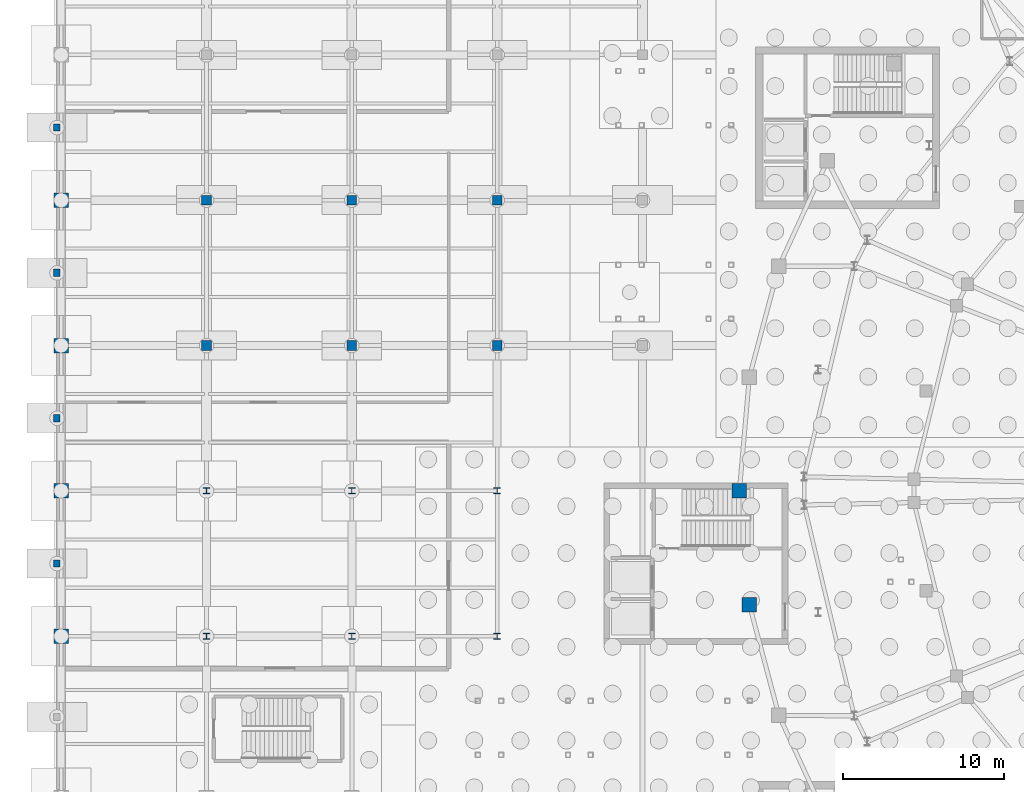
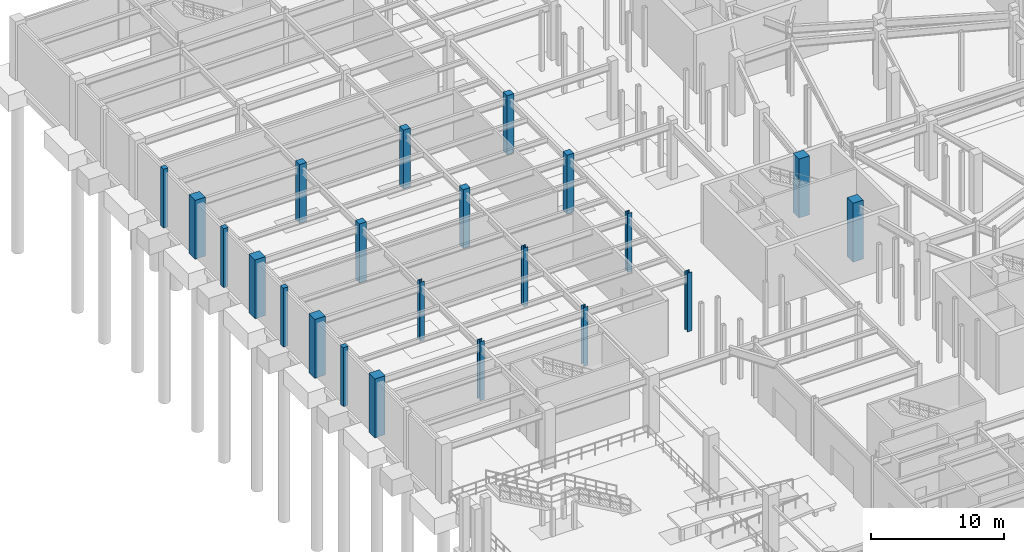
# One storey, part 17 of 56: 22 columns.
"""IFC4 building model written with IfcOpenShell, lengths in metres."""

from ifc_helpers import new_model, si_unit, direction, frame, origin, origin_2d, place, context, subcontext, project, spatial, rectangle, i_section, extrude, material, material_profile, profile_set, type_object, element, save


model = new_model("IFC4")

# Units and contexts
model_context = context("Model", 3, precision=1e-05, world=origin(), true_north=direction((0.0, 1.0)))
body_context = subcontext(model_context, "Body", "Model", "MODEL_VIEW")
ifc_project = project(units=[si_unit("LENGTHUNIT", "METRE"), si_unit("AREAUNIT", "SQUARE_METRE"), si_unit("VOLUMEUNIT", "CUBIC_METRE"), si_unit("PLANEANGLEUNIT", "RADIAN"), si_unit("MASSUNIT", "GRAM", prefix="KILO")], contexts=[model_context])

# Site, building, storey
site_placement = place(None, origin())
site = spatial("IfcSite", under=ifc_project, at=site_placement, CompositionType="ELEMENT")
building_placement = place(site_placement, origin())
building = spatial("IfcBuilding", under=site, at=building_placement, Name="Glasvene Arena", CompositionType="ELEMENT")
storey_placement = place(building_placement, frame((0.0, 0.0, -5.39990234375)))
storey = spatial("IfcBuildingStorey", under=building, at=storey_placement, Name="B1", CompositionType="ELEMENT", Elevation=-5.39990234375)

# Columns
ifc_material_1 = material(Name="Concrete C40/50", Category="concrete")
ifc_material_profile_1 = material_profile(ifc_material_1, rectangle(XDim=0.89990234375, YDim=0.89990234375, at=origin_2d()), Name="RC 900x900")
ifc_profile_set_1 = profile_set([ifc_material_profile_1], Name="Concrete C40/50")
column_type_1 = type_object("IfcColumnType", Name="COL-BOWL-RC900", PredefinedType="COLUMN", material=ifc_profile_set_1)
for number, where, z_axis, x_axis, name in (
    (1, (42.0, 73.0, 0.0), (0.0, 0.0, 1.0), (1.0, 0.0, 0.0), "Bowl ring column R21 B1"),
    (2, (42.615478515625, 65.96044921875, 0.0), (0.0, 0.0, 1.0), (1.0, 0.0, 0.0), "Bowl ring column R22 B1"),
    (3, (0.0, 64.0, 0.0), (0.0, 0.0, 1.0), (1.0, 0.0, 0.0), "Grid column 1-8 B1"),
    (4, (0.0, 73.0, 0.0), (0.0, 0.0, 1.0), (1.0, 0.0, 0.0), "Grid column 1-9 B1"),
    (5, (0.0, 82.0, 0.0), (0.0, 0.0, 1.0), (1.0, 0.0, 0.0), "Grid column 1-10 B1"),
    (6, (0.0, 91.0, 0.0), (0.0, 0.0, 1.0), (1.0, 0.0, 0.0), "Grid column 1-11 B1"),
):
    element("IfcColumn", number, at=place(storey_placement, frame(where, z_axis=z_axis, x_axis=x_axis)), inside=storey, type_object=column_type_1, Name=name, PredefinedType="COLUMN", context=body_context, shape_type="SweptSolid", body=[
        extrude(rectangle(XDim=0.89990234375, YDim=0.89990234375, at=origin_2d()), origin(), (0.0, 0.0, 1.0), 5.39990234375),
    ])
ifc_material_profile_2 = material_profile(ifc_material_1, rectangle(XDim=0.60009765625, YDim=0.60009765625, at=origin_2d()), Name="RC 600x600")
ifc_profile_set_2 = profile_set([ifc_material_profile_2], Name="Concrete C40/50")
column_type_2 = type_object("IfcColumnType", Name="COL-IN-RC600", PredefinedType="COLUMN", material=ifc_profile_set_2)
for number, where, z_axis, x_axis, name in (
    (7, (9.0, 82.0, 0.0), (0.0, 0.0, 1.0), (1.0, 0.0, 0.0), "Grid column 2-10 B1"),
    (8, (9.0, 91.0, 0.0), (0.0, 0.0, 1.0), (1.0, 0.0, 0.0), "Grid column 2-11 B1"),
    (9, (18.0, 82.0, 0.0), (0.0, 0.0, 1.0), (1.0, 0.0, 0.0), "Grid column 3-10 B1"),
    (10, (18.0, 91.0, 0.0), (0.0, 0.0, 1.0), (1.0, 0.0, 0.0), "Grid column 3-11 B1"),
    (11, (27.0, 82.0, 0.0), (0.0, 0.0, 1.0), (1.0, 0.0, 0.0), "Grid column 4-10 B1"),
    (12, (27.0, 91.0, 0.0), (0.0, 0.0, 1.0), (1.0, 0.0, 0.0), "Grid column 4-11 B1"),
):
    element("IfcColumn", number, at=place(storey_placement, frame(where, z_axis=z_axis, x_axis=x_axis)), inside=storey, type_object=column_type_2, Name=name, PredefinedType="COLUMN", context=body_context, shape_type="SweptSolid", body=[
        extrude(rectangle(XDim=0.60009765625, YDim=0.60009765625, at=origin_2d()), origin(), (0.0, 0.0, 1.0), 5.39990234375),
    ])
ifc_material_2 = material(Name="Steel S355J2", Category="steel")
ifc_material_profile_3 = material_profile(ifc_material_2, i_section(OverallWidth=0.394775390625, OverallDepth=0.381103515625, WebThickness=0.018310546875, FlangeThickness=0.0302734375, FilletRadius=0.01513671875, at=origin_2d()), Name="UKC 356x406x235")
ifc_profile_set_3 = profile_set([ifc_material_profile_3], Name="Steel S355J2")
column_type_3 = type_object("IfcColumnType", Name="COL-W-UKC235", PredefinedType="COLUMN", material=ifc_profile_set_3)
for number, where, z_axis, x_axis, name in (
    (13, (9.0, 64.0, 0.0), (0.0, 0.0, 1.0), (1.0, 0.0, 0.0), "Grid column 2-8 B1"),
    (14, (9.0, 73.0, 0.0), (0.0, 0.0, 1.0), (1.0, 0.0, 0.0), "Grid column 2-9 B1"),
    (15, (18.0, 64.0, 0.0), (0.0, 0.0, 1.0), (1.0, 0.0, 0.0), "Grid column 3-8 B1"),
    (16, (18.0, 73.0, 0.0), (0.0, 0.0, 1.0), (1.0, 0.0, 0.0), "Grid column 3-9 B1"),
    (17, (27.0, 64.0, 0.0), (0.0, 0.0, 1.0), (1.0, 0.0, 0.0), "Grid column 4-8 B1"),
    (18, (27.0, 73.0, 0.0), (0.0, 0.0, 1.0), (1.0, 0.0, 0.0), "Grid column 4-9 B1"),
):
    element("IfcColumn", number, at=place(storey_placement, frame(where, z_axis=z_axis, x_axis=x_axis)), inside=storey, type_object=column_type_3, Name=name, PredefinedType="COLUMN", context=body_context, shape_type="SweptSolid", body=[
        extrude(i_section(OverallWidth=0.394775390625, OverallDepth=0.381103515625, WebThickness=0.018310546875, FlangeThickness=0.0302734375, FilletRadius=0.01513671875, at=origin_2d()), origin(), (0.0, 0.0, 1.0), 5.39990234375),
    ])
ifc_material_3 = material(Name="Precast concrete C50/60", Category="concrete")
ifc_material_profile_4 = material_profile(ifc_material_3, rectangle(XDim=0.39990234375, YDim=0.449951171875, at=origin_2d()), Name="RC 400x450")
ifc_profile_set_4 = profile_set([ifc_material_profile_4], Name="Precast concrete C50/60")
column_type_4 = type_object("IfcColumnType", Name="PIL-LIM-400", PredefinedType="PILASTER", material=ifc_profile_set_4)
for number, where, z_axis, x_axis, name in (
    (19, (-0.260009765625, 68.5, 0.0), (0.0, 0.0, 1.0), (1.0, 0.0, 0.0), "Limestone pilaster PL-08 B1"),
    (20, (-0.260009765625, 77.5, 0.0), (0.0, 0.0, 1.0), (1.0, 0.0, 0.0), "Limestone pilaster PL-09 B1"),
    (21, (-0.260009765625, 86.5, 0.0), (0.0, 0.0, 1.0), (1.0, 0.0, 0.0), "Limestone pilaster PL-10 B1"),
    (22, (-0.260009765625, 95.5, 0.0), (0.0, 0.0, 1.0), (1.0, 0.0, 0.0), "Limestone pilaster PL-11 B1"),
):
    element("IfcColumn", number, at=place(storey_placement, frame(where, z_axis=z_axis, x_axis=x_axis)), inside=storey, type_object=column_type_4, Name=name, PredefinedType="PILASTER", context=body_context, shape_type="SweptSolid", body=[
        extrude(rectangle(XDim=0.39990234375, YDim=0.449951171875, at=origin_2d()), origin(), (0.0, 0.0, 1.0), 5.39990234375),
    ])

save(model, "model.ifc")
